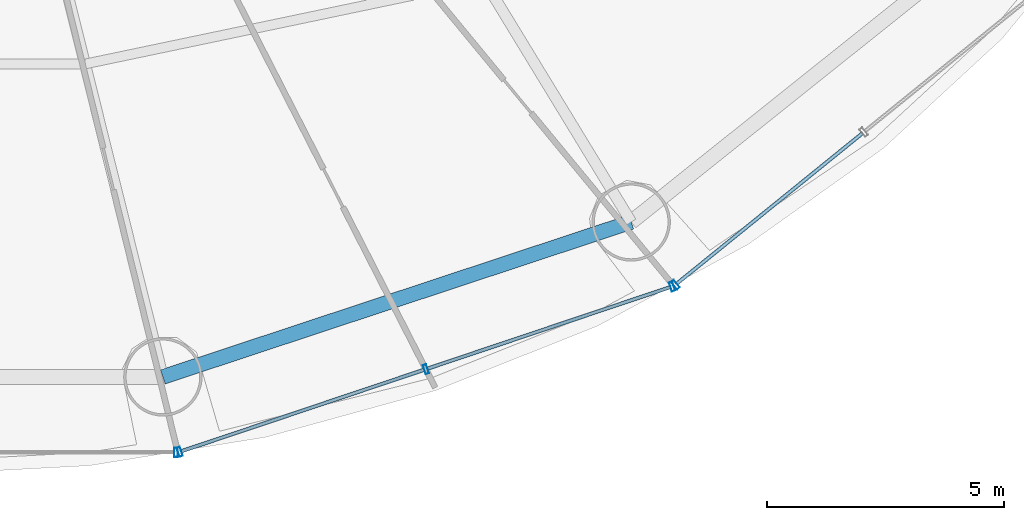
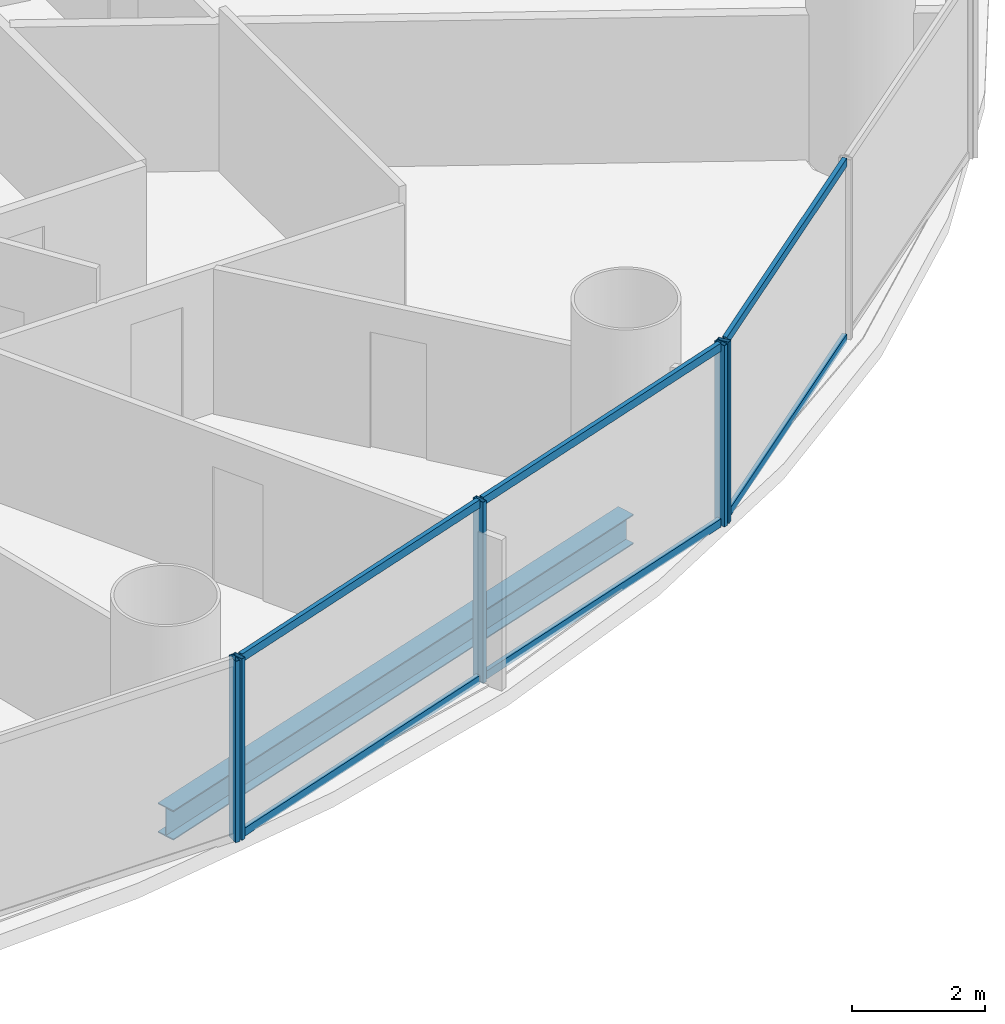
# One storey, part 10 of 29: 11 members, 1 beam, 3 elements without a shape of their own.
"""IFC4 building model written with IfcOpenShell, lengths in metres."""

from ifc_helpers import new_model, si_unit, direction, frame, origin, origin_2d, place, context, subcontext, project, spatial, hollow_rectangle, i_section, extrude, source, transform, mapped, material, material_profile, profile_set, type_object, element, aggregate, save


model = new_model("IFC4")

# Units and contexts
model_context = context("Model", 3, precision=1e-05, world=origin(), true_north=direction((-0.2419218956, 0.970295726276)))
body_context = subcontext(model_context, "Body", "Model", "MODEL_VIEW")
ifc_project = project(units=[si_unit("LENGTHUNIT", "METRE"), si_unit("AREAUNIT", "SQUARE_METRE"), si_unit("VOLUMEUNIT", "CUBIC_METRE"), si_unit("PLANEANGLEUNIT", "RADIAN"), si_unit("MASSUNIT", "GRAM", prefix="KILO")], contexts=[model_context])

# Site, building, storey
site_placement = place(None, origin())
site = spatial("IfcSite", under=ifc_project, at=site_placement, CompositionType="ELEMENT")
building_placement = place(site_placement, origin())
building = spatial("IfcBuilding", under=site, at=building_placement, Name="Cobrevalo Terracotta Tower", CompositionType="ELEMENT")
storey_placement = place(building_placement, frame((0.0, 0.0, 52.800048828125)))
storey = spatial("IfcBuildingStorey", under=building, at=storey_placement, Name="L13", CompositionType="ELEMENT", Elevation=52.800048828125)

# Beam
ifc_material_1 = material(Name="Steel S355", Category="steel")
ifc_material_profile_1 = material_profile(ifc_material_1, i_section(OverallWidth=0.31201171875, OverallDepth=0.54296875, WebThickness=0.0126953125, FlangeThickness=0.020263671875, at=origin_2d()), Name="W 530x150")
ifc_profile_set_1 = profile_set([ifc_material_profile_1], Name="Steel S355")
beam_type = type_object("IfcBeamType", Name="Structural Spandrel W 530x150 (Steel S355)", PredefinedType="SPANDREL", material=ifc_profile_set_1)
beam_placement = place(storey_placement, frame((43.335693359375, 5.369873046875, -0.551513671875), z_axis=(0.949372202648, 0.314153498848, 0.0), x_axis=(-0.314153498848, 0.949372202648, 0.0)))
element("IfcBeam", 1, at=beam_placement, inside=storey, type_object=beam_type, Name="L13 perimeter ring spandrel 13", PredefinedType="SPANDREL", context=body_context, shape_type="SweptSolid", body=[
    extrude(i_section(OverallWidth=0.31201171875, OverallDepth=0.54296875, WebThickness=0.0126953125, FlangeThickness=0.020263671875, at=origin_2d()), origin(), (0.0, 0.0, 1.0), 10.385009765625),
])

# Curtain wall, member
ifc_material_2 = material(Name="Anodized aluminium", Category="aluminium")
curtain_wall_type = type_object("IfcCurtainWallType", Name="Lower-tower unitised acoustic low-E curtain wall CW-U1", PredefinedType="NOTDEFINED", material=ifc_material_2)
curtain_wall_1_placement = place(storey_placement, origin())
curtain_wall_1 = element("IfcCurtainWall", 2, at=curtain_wall_1_placement, inside=storey, type_object=curtain_wall_type, Name="L13 curtain wall CW-L13-S12", PredefinedType="NOTDEFINED")
ifc_material_profile_2 = material_profile(ifc_material_2, hollow_rectangle(XDim=0.074951171875, YDim=0.199951171875, WallThickness=0.0048828125, at=origin_2d()), Name="CWM 75x200")
ifc_profile_set_2 = profile_set([ifc_material_profile_2], Name="Anodized aluminium")
member_type_1 = type_object("IfcMemberType", Name="Lower/mid tower unitised mullion 75x200", PredefinedType="MULLION", material=ifc_profile_set_2)
shared_shape_1 = source(origin(), body_context, "Body", "SweptSolid", [
    extrude(hollow_rectangle(XDim=0.074951171875, YDim=0.199951171875, WallThickness=0.0048828125, at=origin_2d()), origin(), (0.0, 0.0, 1.0), 3.320068359375),
])
member_1_placement = place(storey_placement, frame((43.61181640625, 3.781005859375, 0.0), z_axis=(0.0, 0.0, 1.0), x_axis=(1.0, 0.0, 0.0)))
member_1 = element("IfcMember", 3, at=member_1_placement, type_object=member_type_1, Name="CW-L13-S12 vertical mullion 03", PredefinedType="MULLION", context=body_context, shape_type="MappedRepresentation", body=[
    mapped(shared_shape_1, transform((0.0, 0.0, 0.0), scale=1.0)),
])
aggregate(curtain_wall_1, [member_1])

# Curtain wall, members
curtain_wall_2_placement = place(storey_placement, origin())
curtain_wall_2 = element("IfcCurtainWall", 4, at=curtain_wall_2_placement, inside=storey, type_object=curtain_wall_type, Name="L13 curtain wall CW-L13-S13", PredefinedType="NOTDEFINED")
member_2_placement = place(storey_placement, frame((43.689697265625, 3.793701171875, 0.0), z_axis=(0.0, 0.0, 1.0), x_axis=(0.948046393597, 0.318132103987, 0.0)))
member_2 = element("IfcMember", 5, at=member_2_placement, type_object=member_type_1, Name="CW-L13-S13 vertical mullion 01", PredefinedType="MULLION", context=body_context, shape_type="MappedRepresentation", body=[
    mapped(shared_shape_1, transform((0.0, 0.0, 0.0), scale=1.0)),
])
member_3_placement = place(storey_placement, frame((48.873291015625, 5.533203125, 0.0), z_axis=(0.0, 0.0, 1.0), x_axis=(0.948046393597, 0.318132103987, 0.0)))
member_3 = element("IfcMember", 6, at=member_3_placement, type_object=member_type_1, Name="CW-L13-S13 vertical mullion 02", PredefinedType="MULLION", context=body_context, shape_type="MappedRepresentation", body=[
    mapped(shared_shape_1, transform((0.0, 0.0, 0.0), scale=1.0)),
])
member_4_placement = place(storey_placement, frame((54.056884765625, 7.272705078125, 0.0), z_axis=(0.0, 0.0, 1.0), x_axis=(0.948046393597, 0.318132103987, 0.0)))
member_4 = element("IfcMember", 7, at=member_4_placement, type_object=member_type_1, Name="CW-L13-S13 vertical mullion 03", PredefinedType="MULLION", context=body_context, shape_type="MappedRepresentation", body=[
    mapped(shared_shape_1, transform((0.0, 0.0, 0.0), scale=1.0)),
])

curtain_wall_3_placement = place(storey_placement, origin())
curtain_wall_3 = element("IfcCurtainWall", 8, at=curtain_wall_3_placement, inside=storey, type_object=curtain_wall_type, Name="L13 curtain wall CW-L13-S14", PredefinedType="NOTDEFINED")
member_5_placement = place(storey_placement, frame((54.1259765625, 7.310546875, 0.0), z_axis=(0.0, 0.0, 1.0), x_axis=(0.777003153187, 0.629496703675, 0.0)))
member_5 = element("IfcMember", 9, at=member_5_placement, type_object=member_type_1, Name="CW-L13-S14 vertical mullion 01", PredefinedType="MULLION", context=body_context, shape_type="MappedRepresentation", body=[
    mapped(shared_shape_1, transform((0.0, 0.0, 0.0), scale=1.0)),
])
ifc_material_profile_3 = material_profile(ifc_material_2, hollow_rectangle(XDim=0.074951171875, YDim=0.14990234375, WallThickness=0.00439453125, at=origin_2d()), Name="CWT 75x150")
ifc_profile_set_3 = profile_set([ifc_material_profile_3], Name="Anodized aluminium")
member_type_2 = type_object("IfcMemberType", Name="Tower unitised aluminium transom 75x150", PredefinedType="USERDEFINED", material=ifc_profile_set_3)
shared_shape_2 = source(origin(), body_context, "Body", "SweptSolid", [
    extrude(hollow_rectangle(XDim=0.074951171875, YDim=0.14990234375, WallThickness=0.00439453125, at=origin_2d()), origin(), (0.0, 0.0, 1.0), 5.0234375),
])
member_6_placement = place(storey_placement, frame((54.156982421875, 7.335693359375, 0.050048828125), z_axis=(0.777022991593, 0.629472215857, 0.0), x_axis=(-0.629472215857, 0.777022991593, 0.0)))
member_6 = element("IfcMember", 10, at=member_6_placement, type_object=member_type_2, Name="CW-L13-S14 transom B01-T1", ObjectType="TRANSOM", PredefinedType="USERDEFINED", context=body_context, shape_type="MappedRepresentation", body=[
    mapped(shared_shape_2, transform((0.0, 0.0, 0.0), scale=1.0)),
])
member_7_placement = place(storey_placement, frame((54.156982421875, 7.335693359375, 3.27001953125), z_axis=(0.777022991593, 0.629472215857, 0.0), x_axis=(-0.629472215857, 0.777022991593, 0.0)))
member_7 = element("IfcMember", 11, at=member_7_placement, type_object=member_type_2, Name="CW-L13-S14 transom B01-T2", ObjectType="TRANSOM", PredefinedType="USERDEFINED", context=body_context, shape_type="MappedRepresentation", body=[
    mapped(shared_shape_2, transform((0.0, 0.0, 0.0), scale=1.0)),
])
aggregate(curtain_wall_3, [member_5, member_6, member_7])

# Member
shared_shape_3 = source(origin(), body_context, "Body", "SweptSolid", [
    extrude(hollow_rectangle(XDim=0.074951171875, YDim=0.14990234375, WallThickness=0.00439453125, at=origin_2d()), origin(), (0.0, 0.0, 1.0), 5.387939453125),
])
member_8_placement = place(storey_placement, frame((43.7275390625, 3.806396484375, 0.050048828125), z_axis=(0.94804244582, 0.318143868278, 0.0), x_axis=(-0.318143868278, 0.94804244582, 0.0)))
member_8 = element("IfcMember", 12, at=member_8_placement, type_object=member_type_2, Name="CW-L13-S13 transom B01-T1", ObjectType="TRANSOM", PredefinedType="USERDEFINED", context=body_context, shape_type="MappedRepresentation", body=[
    mapped(shared_shape_3, transform((0.0, 0.0, 0.0), scale=1.0)),
])

member_9_placement = place(storey_placement, frame((43.7275390625, 3.806396484375, 3.27001953125), z_axis=(0.94804244582, 0.318143868278, 0.0), x_axis=(-0.318143868278, 0.94804244582, 0.0)))
member_9 = element("IfcMember", 13, at=member_9_placement, type_object=member_type_2, Name="CW-L13-S13 transom B01-T2", ObjectType="TRANSOM", PredefinedType="USERDEFINED", context=body_context, shape_type="MappedRepresentation", body=[
    mapped(shared_shape_3, transform((0.0, 0.0, 0.0), scale=1.0)),
])

member_10_placement = place(storey_placement, frame((48.9111328125, 5.5458984375, 0.050048828125), z_axis=(0.94804244582, 0.318143868278, 0.0), x_axis=(-0.318143868278, 0.94804244582, 0.0)))
member_10 = element("IfcMember", 14, at=member_10_placement, type_object=member_type_2, Name="CW-L13-S13 transom B02-T1", ObjectType="TRANSOM", PredefinedType="USERDEFINED", context=body_context, shape_type="MappedRepresentation", body=[
    mapped(shared_shape_3, transform((0.0, 0.0, 0.0), scale=1.0)),
])

member_11_placement = place(storey_placement, frame((48.9111328125, 5.5458984375, 3.27001953125), z_axis=(0.94804244582, 0.318143868278, 0.0), x_axis=(-0.318143868278, 0.94804244582, 0.0)))
member_11 = element("IfcMember", 15, at=member_11_placement, type_object=member_type_2, Name="CW-L13-S13 transom B02-T2", ObjectType="TRANSOM", PredefinedType="USERDEFINED", context=body_context, shape_type="MappedRepresentation", body=[
    mapped(shared_shape_3, transform((0.0, 0.0, 0.0), scale=1.0)),
])

aggregate(curtain_wall_2, [member_2, member_3, member_4, member_8, member_9, member_10, member_11])

save(model, "model.ifc")
